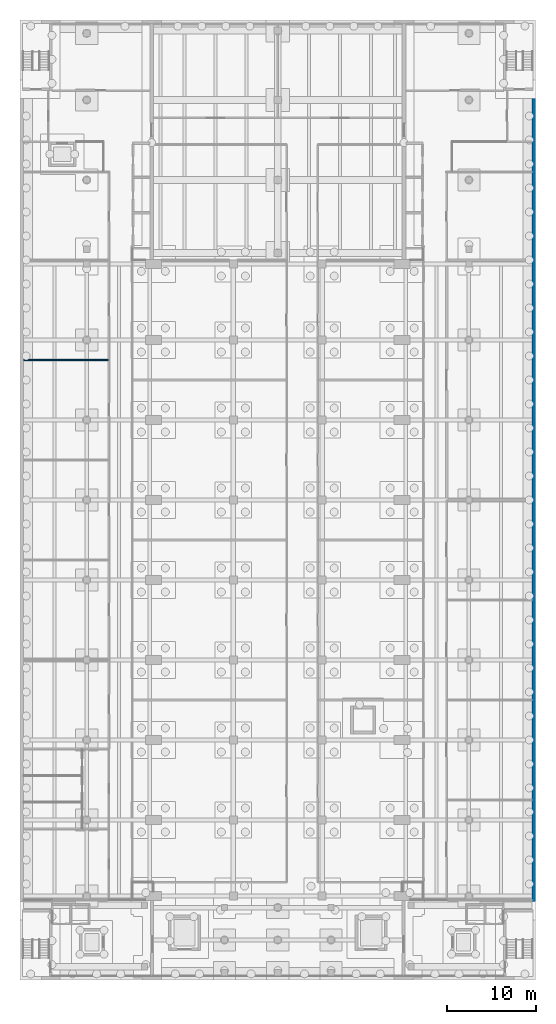
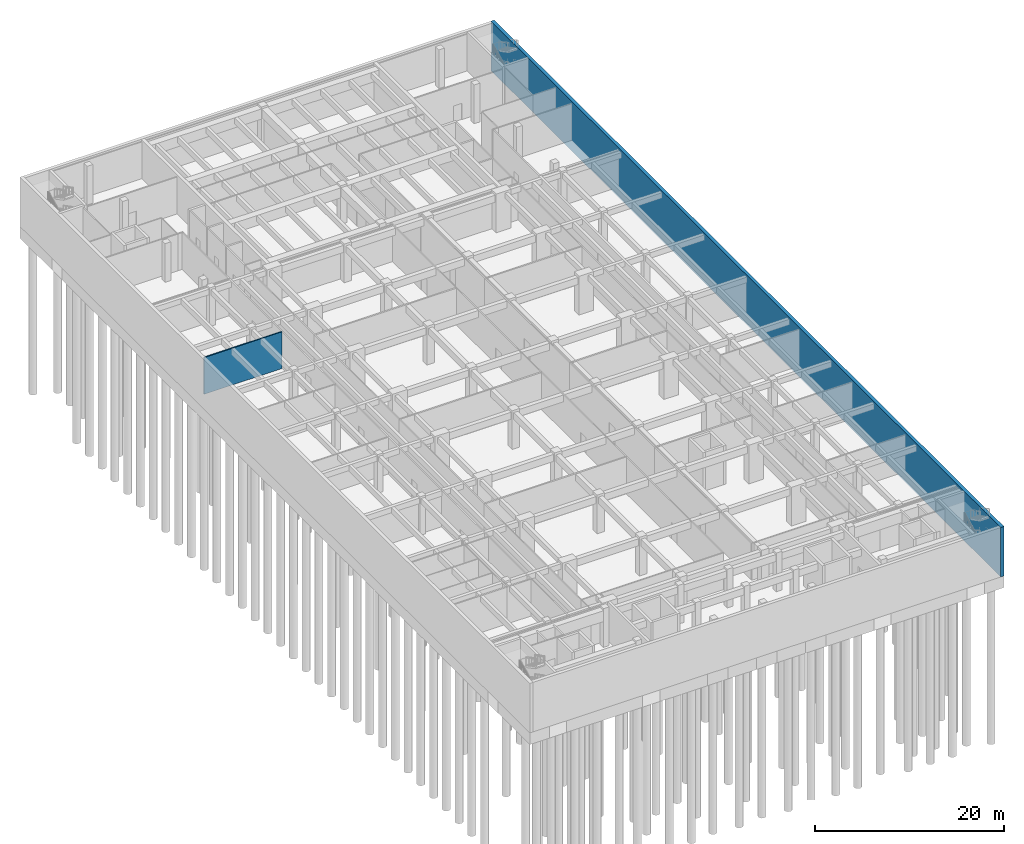
# One storey, part 13 of 19: 2 walls.
"""IFC4 building model written with IfcOpenShell, lengths in metres."""

from ifc_helpers import new_model, si_unit, direction, frame, frame_2d, origin, place, context, subcontext, project, spatial, rectangle, extrude, material, layer, layer_set, type_object, element, save


model = new_model("IFC4")

# Units and contexts
model_context = context("Model", 3, precision=1e-05, world=origin(), true_north=direction((0.0, 1.0)))
body_context = subcontext(model_context, "Body", "Model", "MODEL_VIEW")
ifc_project = project(units=[si_unit("LENGTHUNIT", "METRE"), si_unit("AREAUNIT", "SQUARE_METRE"), si_unit("VOLUMEUNIT", "CUBIC_METRE"), si_unit("PLANEANGLEUNIT", "RADIAN"), si_unit("MASSUNIT", "GRAM", prefix="KILO")], contexts=[model_context])

# Site, building, storey
site_placement = place(None, origin())
site = spatial("IfcSite", under=ifc_project, at=site_placement, CompositionType="ELEMENT")
building_placement = place(site_placement, origin())
building = spatial("IfcBuilding", under=site, at=building_placement, Name="Elmora Arch Market Hall", CompositionType="ELEMENT")
storey_placement = place(building_placement, frame((0.0, 0.0, -10.0)))
storey = spatial("IfcBuildingStorey", under=building, at=storey_placement, Name="B1", CompositionType="ELEMENT", Elevation=-10.0)

# Walls
ifc_material_1 = material(Name="Concrete C40/50", Category="concrete")
ifc_layer_1 = layer(ifc_material_1, 0.39990234375)
ifc_layer_set_1 = layer_set([ifc_layer_1], Name="Concrete C40/50")
wall_type_1 = type_object("IfcWallType", Name="Basement wall 400", PredefinedType="SOLIDWALL", material=ifc_layer_set_1)
wall_1_placement = place(storey_placement, frame((57.800048828125, 18.0, -1.39990234375), z_axis=(0.0, 0.0, 1.0), x_axis=(0.0, 1.0, 0.0)))
element("IfcWall", 1, at=wall_1_placement, inside=storey, type_object=wall_type_1, Name="Basement wall E B1", PredefinedType="SOLIDWALL", context=body_context, shape_type="SweptSolid", body=[
    extrude(rectangle(XDim=108.0, YDim=0.39990234375, at=frame_2d((54.0, 0.0))), origin(), (0.0, 0.0, 1.0), 6.39990234375),
])
ifc_material_2 = material(Name="Insulated metal panel")
ifc_layer_2 = layer(ifc_material_2, 0.14990234375)
ifc_layer_set_2 = layer_set([ifc_layer_2], Name="Insulated metal panel")
wall_type_2 = type_object("IfcWallType", Name="Cold store panel 150 EI 60", PredefinedType="PARTITIONING", material=ifc_layer_set_2)
wall_2_placement = place(storey_placement, frame((0.39990234375, 87.75, 0.0), z_axis=(0.0, 0.0, 1.0), x_axis=(1.0, 0.0, 0.0)))
element("IfcWall", 2, at=wall_2_placement, inside=storey, type_object=wall_type_2, Name="Partition PT-B1-037", PredefinedType="PARTITIONING", context=body_context, shape_type="SweptSolid", body=[
    extrude(rectangle(XDim=9.525146484375, YDim=0.14990234375, at=frame_2d((4.7626953125, 0.0))), origin(), (0.0, 0.0, 1.0), 4.75),
])

save(model, "model.ifc")
